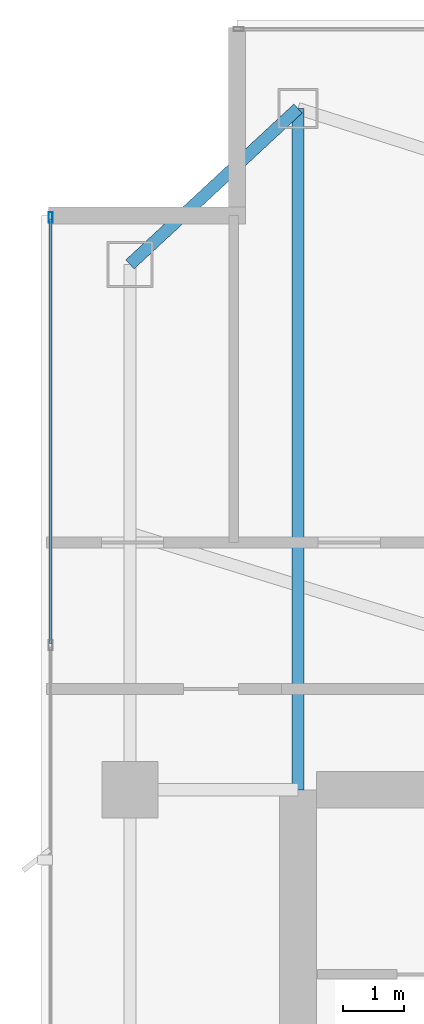
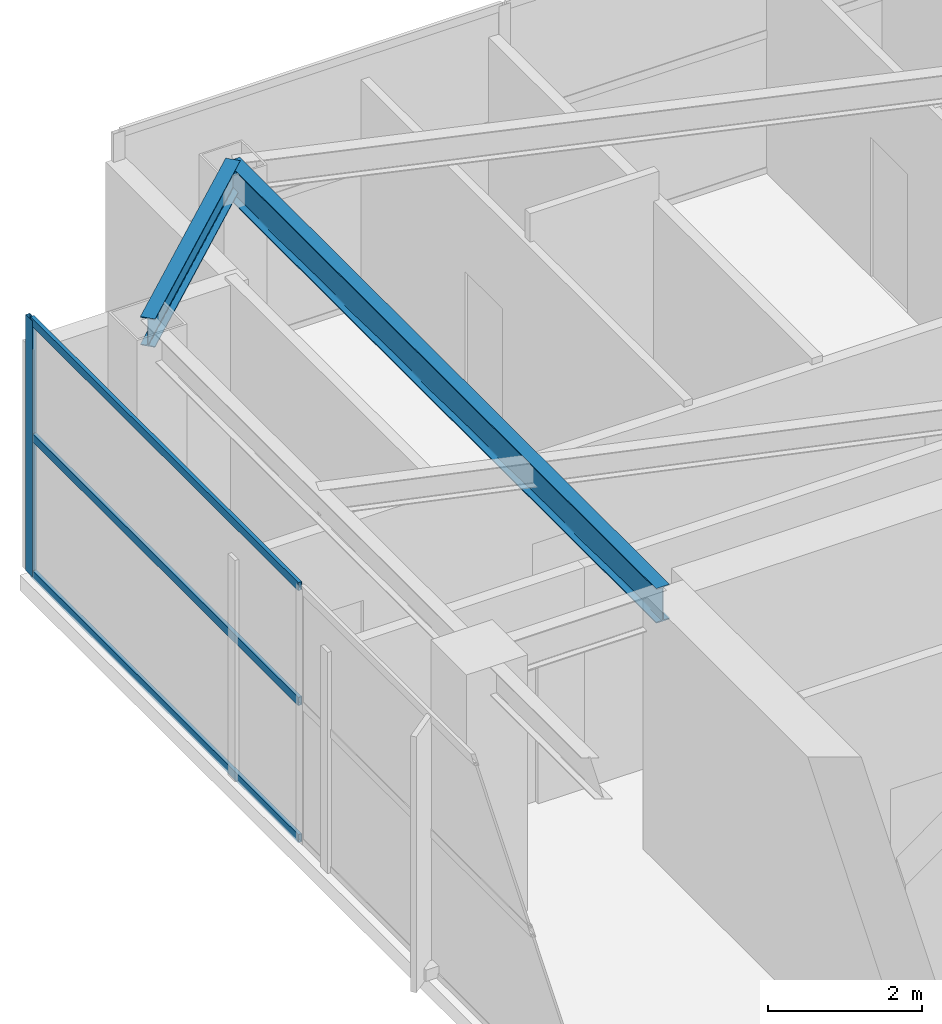
# One storey, part 16 of 26: 4 members, 2 beams, 1 element without a shape of its own.
"""IFC4 building model written with IfcOpenShell, lengths in metres."""

from ifc_helpers import new_model, si_unit, direction, frame, origin, origin_2d, place, context, subcontext, project, spatial, hollow_rectangle, i_section, extrude, material, layer, layer_set, material_profile, profile_set, type_object, element, aggregate, save


model = new_model("IFC4")

# Units and contexts
model_context = context("Model", 3, precision=1e-05, world=origin(), true_north=direction((0.0, 1.0)))
body_context = subcontext(model_context, "Body", "Model", "MODEL_VIEW")
ifc_project = project(units=[si_unit("LENGTHUNIT", "METRE"), si_unit("AREAUNIT", "SQUARE_METRE"), si_unit("VOLUMEUNIT", "CUBIC_METRE"), si_unit("PLANEANGLEUNIT", "RADIAN"), si_unit("MASSUNIT", "GRAM", prefix="KILO")], contexts=[model_context])

# Site, building, storey
site_placement = place(None, origin())
site = spatial("IfcSite", under=ifc_project, at=site_placement, CompositionType="ELEMENT")
building_placement = place(site_placement, origin())
building = spatial("IfcBuilding", under=site, at=building_placement, Name="Calvorn Quay Hotel", CompositionType="ELEMENT")
storey_placement = place(building_placement, frame((0.0, 0.0, 302.5)))
storey = spatial("IfcBuildingStorey", under=building, at=storey_placement, Name="L75", CompositionType="ELEMENT", Elevation=302.5)

# Beams
ifc_material_1 = material(Name="Steel Q355B", Category="steel")
ifc_material_profile_1 = material_profile(ifc_material_1, i_section(OverallWidth=0.199951171875, OverallDepth=0.550048828125, WebThickness=0.010009765625, FlangeThickness=0.01611328125, FilletRadius=0.01806640625, at=origin_2d()), Name="HN550x200x10x16")
ifc_profile_set_1 = profile_set([ifc_material_profile_1], Name="Steel Q355B")
beam_type_1 = type_object("IfcBeamType", Name="BM-GIRD-UPP", PredefinedType="BEAM", material=ifc_profile_set_1)
beam_1_placement = place(storey_placement, frame((4.199951171875, 49.550048828125, 3.77490234375), z_axis=(0.0, -1.0, 0.0), x_axis=(1.0, 0.0, 0.0)))
element("IfcBeam", 1, at=beam_1_placement, inside=storey, type_object=beam_type_1, Name="Beam BG-L75-W5", PredefinedType="BEAM", context=body_context, shape_type="SweptSolid", body=[
    extrude(i_section(OverallWidth=0.199951171875, OverallDepth=0.550048828125, WebThickness=0.010009765625, FlangeThickness=0.01611328125, FilletRadius=0.01806640625, at=origin_2d()), origin(), (0.0, 0.0, 1.0), 11.150146484375),
])
ifc_material_2 = material(Name="Steel Q355B", Category="steel")
ifc_material_profile_2 = material_profile(ifc_material_2, i_section(OverallWidth=0.199951171875, OverallDepth=0.449951171875, WebThickness=0.009033203125, FlangeThickness=0.013916015625, FilletRadius=0.01611328125, at=origin_2d()), Name="HN450x200x9x14")
ifc_profile_set_2 = profile_set([ifc_material_profile_2], Name="Steel Q355B")
beam_type_2 = type_object("IfcBeamType", Name="BM-SPANDREL-Z3", PredefinedType="SPANDREL", material=ifc_profile_set_2)
beam_2_placement = place(storey_placement, frame((1.449951171875, 47.0, 3.824951171875), z_axis=(0.733261665538, 0.679946563969, 0.0), x_axis=(-0.679946563969, 0.733261665538, 0.0)))
element("IfcBeam", 2, at=beam_2_placement, inside=storey, type_object=beam_type_2, Name="Beam BSP-L75-W5", PredefinedType="SPANDREL", context=body_context, shape_type="SweptSolid", body=[
    extrude(i_section(OverallWidth=0.199951171875, OverallDepth=0.449951171875, WebThickness=0.009033203125, FlangeThickness=0.013916015625, FilletRadius=0.01611328125, at=origin_2d()), origin(), (0.0, 0.0, 1.0), 3.75048828125),
])

# Curtain wall, members
ifc_material_3 = material(Name="Champagne Bronze Anodised Aluminium and Low-E Glass", Category="aluminium")
ifc_layer = layer(ifc_material_3, 0.219970703125)
ifc_layer_set = layer_set([ifc_layer], Name="CW-SYS-Z4")
curtain_wall_type = type_object("IfcCurtainWallType", Name="CW-SYS-Z4", PredefinedType="NOTDEFINED", material=ifc_layer_set)
curtain_wall_placement = place(storey_placement, origin())
curtain_wall = element("IfcCurtainWall", 3, at=curtain_wall_placement, inside=storey, type_object=curtain_wall_type, Name="Tower West Curtain Wall (L75)", PredefinedType="NOTDEFINED")
ifc_material_4 = material(Name="Champagne Bronze Anodised Aluminium 6063-T6", Category="aluminium")
ifc_material_profile_3 = material_profile(ifc_material_4, hollow_rectangle(XDim=0.06494140625, YDim=0.169921875, WallThickness=0.00341796875, at=origin_2d()), Name="ALU-M170x65x3.5")
ifc_profile_set_3 = profile_set([ifc_material_profile_3], Name="Champagne Bronze Anodised Aluminium 6063-T6")
member_type_1 = type_object("IfcMemberType", Name="CW-SYS-Z4-MUL", PredefinedType="MULLION", material=ifc_profile_set_3)
member_1_placement = place(storey_placement, frame((0.14990234375, 47.77001953125, 0.0), z_axis=(0.0, 0.0, 1.0), x_axis=(-1.0, 0.0, 0.0)))
member_1 = element("IfcMember", 4, at=member_1_placement, type_object=member_type_1, Name="CW-L75-W mullion 7", PredefinedType="MULLION", context=body_context, shape_type="SweptSolid", body=[
    extrude(hollow_rectangle(XDim=0.06494140625, YDim=0.169921875, WallThickness=0.00341796875, at=origin_2d()), origin(), (0.0, 0.0, 1.0), 4.050048828125),
])
ifc_material_5 = material(Name="Champagne Bronze Anodised Aluminium 6063-T6", Category="aluminium")
ifc_material_profile_4 = material_profile(ifc_material_5, hollow_rectangle(XDim=0.054931640625, YDim=0.1298828125, WallThickness=0.003173828125, at=origin_2d()), Name="ALU-T130x55x3.2")
ifc_profile_set_4 = profile_set([ifc_material_profile_4], Name="Champagne Bronze Anodised Aluminium 6063-T6")
member_type_2 = type_object("IfcMemberType", Name="CW-SYS-Z4-TRN", PredefinedType="USERDEFINED", material=ifc_profile_set_4)
member_2_placement = place(storey_placement, frame((0.14990234375, 40.796630859375, 0.030029296875), z_axis=(0.0, 1.0, 0.0), x_axis=(-1.0, 0.0, 0.0)))
member_2 = element("IfcMember", 5, at=member_2_placement, type_object=member_type_2, Name="CW-L75-W transom 6.1", ObjectType="TRANSOM", PredefinedType="USERDEFINED", context=body_context, shape_type="SweptSolid", body=[
    extrude(hollow_rectangle(XDim=0.054931640625, YDim=0.1298828125, WallThickness=0.003173828125, at=origin_2d()), origin(), (0.0, 0.0, 1.0), 6.943359375),
])
member_3_placement = place(storey_placement, frame((0.14990234375, 40.796630859375, 2.199951171875), z_axis=(0.0, 1.0, 0.0), x_axis=(-1.0, 0.0, 0.0)))
member_3 = element("IfcMember", 6, at=member_3_placement, type_object=member_type_2, Name="CW-L75-W transom 6.2", ObjectType="TRANSOM", PredefinedType="USERDEFINED", context=body_context, shape_type="SweptSolid", body=[
    extrude(hollow_rectangle(XDim=0.054931640625, YDim=0.1298828125, WallThickness=0.003173828125, at=origin_2d()), origin(), (0.0, 0.0, 1.0), 6.943359375),
])
member_4_placement = place(storey_placement, frame((0.14990234375, 40.796630859375, 4.02001953125), z_axis=(0.0, 1.0, 0.0), x_axis=(-1.0, 0.0, 0.0)))
member_4 = element("IfcMember", 7, at=member_4_placement, type_object=member_type_2, Name="CW-L75-W transom 6.3", ObjectType="TRANSOM", PredefinedType="USERDEFINED", context=body_context, shape_type="SweptSolid", body=[
    extrude(hollow_rectangle(XDim=0.054931640625, YDim=0.1298828125, WallThickness=0.003173828125, at=origin_2d()), origin(), (0.0, 0.0, 1.0), 6.943359375),
])
aggregate(curtain_wall, [member_1, member_2, member_3, member_4])

save(model, "model.ifc")
